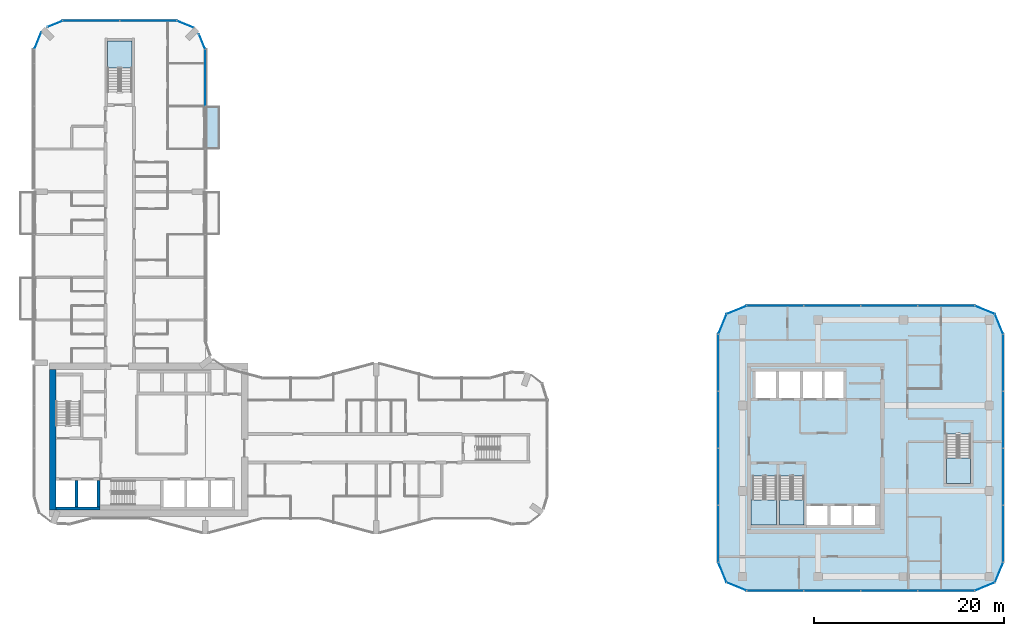
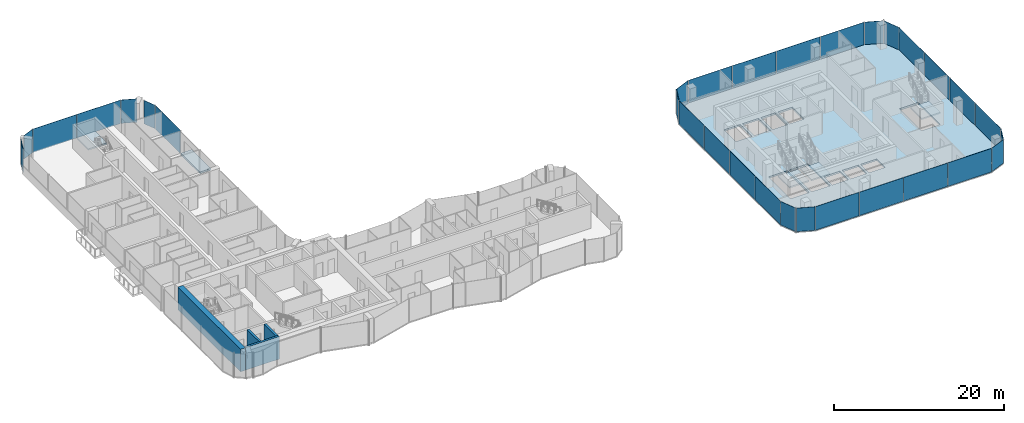
# One storey, part 12 of 23: 31 plates, 6 slabs, 4 walls, 22 elements without a shape of their own.
"""IFC4 building model written with IfcOpenShell, lengths in metres."""

from ifc_helpers import new_model, si_unit, direction, frame, frame_2d, origin, origin_2d, place, context, subcontext, project, spatial, polyline, rectangle, outline, extrude, material, layer, layer_set, type_object, element, aggregate, save


model = new_model("IFC4")

# Units and contexts
model_context = context("Model", 3, precision=1e-05, world=origin(), true_north=direction((0.0, 1.0)))
body_context = subcontext(model_context, "Body", "Model", "MODEL_VIEW")
ifc_project = project(units=[si_unit("LENGTHUNIT", "METRE"), si_unit("AREAUNIT", "SQUARE_METRE"), si_unit("VOLUMEUNIT", "CUBIC_METRE"), si_unit("PLANEANGLEUNIT", "RADIAN"), si_unit("MASSUNIT", "GRAM", prefix="KILO")], contexts=[model_context])

# Site, building, storey
site_placement = place(None, origin())
site = spatial("IfcSite", under=ifc_project, at=site_placement, CompositionType="ELEMENT")
building_placement = place(site_placement, origin())
building = spatial("IfcBuilding", under=site, at=building_placement, Name="Plateau Cross Towers", CompositionType="ELEMENT")
storey_placement = place(building_placement, frame((0.0, 0.0, 88.800048828125)))
storey = spatial("IfcBuildingStorey", under=building, at=storey_placement, Name="L22", CompositionType="ELEMENT", Elevation=88.800048828125)

# Slab
ifc_material_1 = material(Name="Concrete C40/50", Category="concrete")
ifc_layer_1 = layer(ifc_material_1, 0.25)
ifc_layer_set_1 = layer_set([ifc_layer_1], Name="Concrete C40/50")
slab_type_1 = type_object("IfcSlabType", Name="Balcony slab 250", PredefinedType="FLOOR", material=ifc_layer_set_1)
slab_1_placement = place(storey_placement, frame((0.0, 0.0, -0.25)))
element("IfcSlab", 1, at=slab_1_placement, inside=storey, type_object=slab_type_1, Name="Balcony slab A-BAL-L22-04", PredefinedType="FLOOR", context=body_context, shape_type="SweptSolid", body=[
    extrude(outline(polyline([(19.5, 40.5), (19.5, 45.0), (18.0, 45.0), (18.0, 40.5), (19.5, 40.5)])), origin(), (0.0, 0.0, 1.0), 0.25),
])

# Curtain wall, plates
ifc_material_2 = material(Name="Dark low-iron glass", Category="glass")
ifc_layer_2 = layer(ifc_material_2, 0.239990234375)
ifc_layer_set_2 = layer_set([ifc_layer_2], Name="Dark low-iron glass")
curtain_wall_type_1 = type_object("IfcCurtainWallType", Name="Curtain wall office unitised CW-F", PredefinedType="NOTDEFINED", material=ifc_layer_set_2)
curtain_wall_1_placement = place(storey_placement, origin())
curtain_wall_1 = element("IfcCurtainWall", 2, at=curtain_wall_1_placement, inside=storey, type_object=curtain_wall_type_1, Name="ENV/B/L22/B750_-60", PredefinedType="NOTDEFINED")
ifc_layer_3 = layer(ifc_material_2, 0.028076171875)
ifc_layer_set_3 = layer_set([ifc_layer_3], Name="Dark low-iron glass")
plate_type_1 = type_object("IfcPlateType", Name="Glass panel 28 office unitised", PredefinedType="CURTAIN_PANEL", material=ifc_layer_set_3)
plate_1_placement = place(storey_placement, frame((78.0, -6.0, -0.1298828125), z_axis=(0.0, 0.0, 1.0), x_axis=(1.0, 0.0, 0.0)))
plate_1 = element("IfcPlate", 3, at=plate_1_placement, type_object=plate_type_1, Name="CW-F panel 1", PredefinedType="CURTAIN_PANEL", context=body_context, shape_type="SweptSolid", body=[
    extrude(rectangle(XDim=5.93994140625, YDim=0.028076171875, at=origin_2d()), origin(), (0.0, 0.0, 1.0), 3.3798828125),
])
plate_2_placement = place(storey_placement, frame((84.0, -6.0, -0.1298828125), z_axis=(0.0, 0.0, 1.0), x_axis=(1.0, 0.0, 0.0)))
plate_2 = element("IfcPlate", 4, at=plate_2_placement, type_object=plate_type_1, Name="CW-F panel 2", PredefinedType="CURTAIN_PANEL", context=body_context, shape_type="SweptSolid", body=[
    extrude(rectangle(XDim=5.93994140625, YDim=0.028076171875, at=origin_2d()), origin(), (0.0, 0.0, 1.0), 3.3798828125),
])
plate_3_placement = place(storey_placement, frame((90.0, -6.0, -0.1298828125), z_axis=(0.0, 0.0, 1.0), x_axis=(1.0, 0.0, 0.0)))
plate_3 = element("IfcPlate", 5, at=plate_3_placement, type_object=plate_type_1, Name="CW-F panel 3", PredefinedType="CURTAIN_PANEL", context=body_context, shape_type="SweptSolid", body=[
    extrude(rectangle(XDim=5.93994140625, YDim=0.028076171875, at=origin_2d()), origin(), (0.0, 0.0, 1.0), 3.3798828125),
])
plate_4_placement = place(storey_placement, frame((96.0, -6.0, -0.1298828125), z_axis=(0.0, 0.0, 1.0), x_axis=(1.0, 0.0, 0.0)))
plate_4 = element("IfcPlate", 6, at=plate_4_placement, type_object=plate_type_1, Name="CW-F panel 4", PredefinedType="CURTAIN_PANEL", context=body_context, shape_type="SweptSolid", body=[
    extrude(rectangle(XDim=5.93994140625, YDim=0.028076171875, at=origin_2d()), origin(), (0.0, 0.0, 1.0), 3.3798828125),
])
aggregate(curtain_wall_1, [plate_1, plate_2, plate_3, plate_4])

# Curtain wall, plate
curtain_wall_2_placement = place(storey_placement, origin())
curtain_wall_2 = element("IfcCurtainWall", 7, at=curtain_wall_2_placement, inside=storey, type_object=curtain_wall_type_1, Name="ENV/B/L22/B990_-60", PredefinedType="NOTDEFINED")
plate_5_placement = place(storey_placement, frame((100.060546875, -5.560546875, -0.1298828125), z_axis=(0.0, 0.0, 1.0), x_axis=(0.923879457699, 0.382683612978, 0.0)))
plate_5 = element("IfcPlate", 8, at=plate_5_placement, type_object=plate_type_1, Name="CW-F panel 1", PredefinedType="CURTAIN_PANEL", context=body_context, shape_type="SweptSolid", body=[
    extrude(rectangle(XDim=2.236083984375, YDim=0.028076171875, at=origin_2d()), origin(), (0.0, 0.0, 1.0), 3.3798828125),
])
aggregate(curtain_wall_2, [plate_5])

curtain_wall_3_placement = place(storey_placement, origin())
curtain_wall_3 = element("IfcCurtainWall", 9, at=curtain_wall_3_placement, inside=storey, type_object=curtain_wall_type_1, Name="ENV/B/L22/B1011_-51", PredefinedType="NOTDEFINED")
plate_6_placement = place(storey_placement, frame((101.560546875, -4.060546875, -0.1298828125), z_axis=(0.0, 0.0, 1.0), x_axis=(0.382683612978, 0.923879457699, 0.0)))
plate_6 = element("IfcPlate", 10, at=plate_6_placement, type_object=plate_type_1, Name="CW-F panel 1", PredefinedType="CURTAIN_PANEL", context=body_context, shape_type="SweptSolid", body=[
    extrude(rectangle(XDim=2.236083984375, YDim=0.028076171875, at=origin_2d()), origin(), (0.0, 0.0, 1.0), 3.3798828125),
])
aggregate(curtain_wall_3, [plate_6])

# Curtain wall, plates
curtain_wall_4_placement = place(storey_placement, origin())
curtain_wall_4 = element("IfcCurtainWall", 11, at=curtain_wall_4_placement, inside=storey, type_object=curtain_wall_type_1, Name="ENV/B/L22/B1020_-30", PredefinedType="NOTDEFINED")
plate_7_placement = place(storey_placement, frame((102.0, 0.0, -0.1298828125), z_axis=(0.0, 0.0, 1.0), x_axis=(0.0, 1.0, 0.0)))
plate_7 = element("IfcPlate", 12, at=plate_7_placement, type_object=plate_type_1, Name="CW-F panel 1", PredefinedType="CURTAIN_PANEL", context=body_context, shape_type="SweptSolid", body=[
    extrude(rectangle(XDim=5.93994140625, YDim=0.028076171875, at=origin_2d()), origin(), (0.0, 0.0, 1.0), 3.3798828125),
])
plate_8_placement = place(storey_placement, frame((102.0, 6.0, -0.1298828125), z_axis=(0.0, 0.0, 1.0), x_axis=(0.0, 1.0, 0.0)))
plate_8 = element("IfcPlate", 13, at=plate_8_placement, type_object=plate_type_1, Name="CW-F panel 2", PredefinedType="CURTAIN_PANEL", context=body_context, shape_type="SweptSolid", body=[
    extrude(rectangle(XDim=5.93994140625, YDim=0.028076171875, at=origin_2d()), origin(), (0.0, 0.0, 1.0), 3.3798828125),
])
plate_9_placement = place(storey_placement, frame((102.0, 12.0, -0.1298828125), z_axis=(0.0, 0.0, 1.0), x_axis=(0.0, 1.0, 0.0)))
plate_9 = element("IfcPlate", 14, at=plate_9_placement, type_object=plate_type_1, Name="CW-F panel 3", PredefinedType="CURTAIN_PANEL", context=body_context, shape_type="SweptSolid", body=[
    extrude(rectangle(XDim=5.93994140625, YDim=0.028076171875, at=origin_2d()), origin(), (0.0, 0.0, 1.0), 3.3798828125),
])
plate_10_placement = place(storey_placement, frame((102.0, 18.0, -0.1298828125), z_axis=(0.0, 0.0, 1.0), x_axis=(0.0, 1.0, 0.0)))
plate_10 = element("IfcPlate", 15, at=plate_10_placement, type_object=plate_type_1, Name="CW-F panel 4", PredefinedType="CURTAIN_PANEL", context=body_context, shape_type="SweptSolid", body=[
    extrude(rectangle(XDim=5.93994140625, YDim=0.028076171875, at=origin_2d()), origin(), (0.0, 0.0, 1.0), 3.3798828125),
])
aggregate(curtain_wall_4, [plate_7, plate_8, plate_9, plate_10])

# Curtain wall, plate
curtain_wall_5_placement = place(storey_placement, origin())
curtain_wall_5 = element("IfcCurtainWall", 16, at=curtain_wall_5_placement, inside=storey, type_object=curtain_wall_type_1, Name="ENV/B/L22/B1020_210", PredefinedType="NOTDEFINED")
plate_11_placement = place(storey_placement, frame((101.560546875, 22.060546875, -0.1298828125), z_axis=(0.0, 0.0, 1.0), x_axis=(-0.382683612978, 0.923879457699, 0.0)))
plate_11 = element("IfcPlate", 17, at=plate_11_placement, type_object=plate_type_1, Name="CW-F panel 1", PredefinedType="CURTAIN_PANEL", context=body_context, shape_type="SweptSolid", body=[
    extrude(rectangle(XDim=2.236083984375, YDim=0.028076171875, at=origin_2d()), origin(), (0.0, 0.0, 1.0), 3.3798828125),
])
aggregate(curtain_wall_5, [plate_11])

curtain_wall_6_placement = place(storey_placement, origin())
curtain_wall_6 = element("IfcCurtainWall", 18, at=curtain_wall_6_placement, inside=storey, type_object=curtain_wall_type_1, Name="ENV/B/L22/B1011_231", PredefinedType="NOTDEFINED")
plate_12_placement = place(storey_placement, frame((100.060546875, 23.560546875, -0.1298828125), z_axis=(0.0, 0.0, 1.0), x_axis=(-0.923879457699, 0.382683612978, 0.0)))
plate_12 = element("IfcPlate", 19, at=plate_12_placement, type_object=plate_type_1, Name="CW-F panel 1", PredefinedType="CURTAIN_PANEL", context=body_context, shape_type="SweptSolid", body=[
    extrude(rectangle(XDim=2.236083984375, YDim=0.028076171875, at=origin_2d()), origin(), (0.0, 0.0, 1.0), 3.3798828125),
])
aggregate(curtain_wall_6, [plate_12])

# Curtain wall, plates
curtain_wall_7_placement = place(storey_placement, origin())
curtain_wall_7 = element("IfcCurtainWall", 20, at=curtain_wall_7_placement, inside=storey, type_object=curtain_wall_type_1, Name="ENV/B/L22/B990_240", PredefinedType="NOTDEFINED")
plate_13_placement = place(storey_placement, frame((96.0, 24.0, -0.1298828125), z_axis=(0.0, 0.0, 1.0), x_axis=(-1.0, 0.0, 0.0)))
plate_13 = element("IfcPlate", 21, at=plate_13_placement, type_object=plate_type_1, Name="CW-F panel 1", PredefinedType="CURTAIN_PANEL", context=body_context, shape_type="SweptSolid", body=[
    extrude(rectangle(XDim=5.93994140625, YDim=0.028076171875, at=origin_2d()), origin(), (0.0, 0.0, 1.0), 3.3798828125),
])
plate_14_placement = place(storey_placement, frame((90.0, 24.0, -0.1298828125), z_axis=(0.0, 0.0, 1.0), x_axis=(-1.0, 0.0, 0.0)))
plate_14 = element("IfcPlate", 22, at=plate_14_placement, type_object=plate_type_1, Name="CW-F panel 2", PredefinedType="CURTAIN_PANEL", context=body_context, shape_type="SweptSolid", body=[
    extrude(rectangle(XDim=5.93994140625, YDim=0.028076171875, at=origin_2d()), origin(), (0.0, 0.0, 1.0), 3.3798828125),
])
plate_15_placement = place(storey_placement, frame((84.0, 24.0, -0.1298828125), z_axis=(0.0, 0.0, 1.0), x_axis=(-1.0, 0.0, 0.0)))
plate_15 = element("IfcPlate", 23, at=plate_15_placement, type_object=plate_type_1, Name="CW-F panel 3", PredefinedType="CURTAIN_PANEL", context=body_context, shape_type="SweptSolid", body=[
    extrude(rectangle(XDim=5.93994140625, YDim=0.028076171875, at=origin_2d()), origin(), (0.0, 0.0, 1.0), 3.3798828125),
])
plate_16_placement = place(storey_placement, frame((78.0, 24.0, -0.1298828125), z_axis=(0.0, 0.0, 1.0), x_axis=(-1.0, 0.0, 0.0)))
plate_16 = element("IfcPlate", 24, at=plate_16_placement, type_object=plate_type_1, Name="CW-F panel 4", PredefinedType="CURTAIN_PANEL", context=body_context, shape_type="SweptSolid", body=[
    extrude(rectangle(XDim=5.93994140625, YDim=0.028076171875, at=origin_2d()), origin(), (0.0, 0.0, 1.0), 3.3798828125),
])
aggregate(curtain_wall_7, [plate_13, plate_14, plate_15, plate_16])

# Curtain wall, plate
curtain_wall_8_placement = place(storey_placement, origin())
curtain_wall_8 = element("IfcCurtainWall", 25, at=curtain_wall_8_placement, inside=storey, type_object=curtain_wall_type_1, Name="ENV/B/L22/B750_240", PredefinedType="NOTDEFINED")
plate_17_placement = place(storey_placement, frame((73.939453125, 23.560546875, -0.1298828125), z_axis=(0.0, 0.0, 1.0), x_axis=(-0.923879457699, -0.382683612978, 0.0)))
plate_17 = element("IfcPlate", 26, at=plate_17_placement, type_object=plate_type_1, Name="CW-F panel 1", PredefinedType="CURTAIN_PANEL", context=body_context, shape_type="SweptSolid", body=[
    extrude(rectangle(XDim=2.236083984375, YDim=0.028076171875, at=origin_2d()), origin(), (0.0, 0.0, 1.0), 3.3798828125),
])
aggregate(curtain_wall_8, [plate_17])

curtain_wall_9_placement = place(storey_placement, origin())
curtain_wall_9 = element("IfcCurtainWall", 27, at=curtain_wall_9_placement, inside=storey, type_object=curtain_wall_type_1, Name="ENV/B/L22/B729_231", PredefinedType="NOTDEFINED")
plate_18_placement = place(storey_placement, frame((72.439453125, 22.060546875, -0.1298828125), z_axis=(0.0, 0.0, 1.0), x_axis=(-0.382683612978, -0.923879457699, 0.0)))
plate_18 = element("IfcPlate", 28, at=plate_18_placement, type_object=plate_type_1, Name="CW-F panel 1", PredefinedType="CURTAIN_PANEL", context=body_context, shape_type="SweptSolid", body=[
    extrude(rectangle(XDim=2.236083984375, YDim=0.028076171875, at=origin_2d()), origin(), (0.0, 0.0, 1.0), 3.3798828125),
])
aggregate(curtain_wall_9, [plate_18])

# Curtain wall, plates
curtain_wall_10_placement = place(storey_placement, origin())
curtain_wall_10 = element("IfcCurtainWall", 29, at=curtain_wall_10_placement, inside=storey, type_object=curtain_wall_type_1, Name="ENV/B/L22/B720_210", PredefinedType="NOTDEFINED")
plate_19_placement = place(storey_placement, frame((72.0, 18.0, -0.1298828125), z_axis=(0.0, 0.0, 1.0), x_axis=(0.0, -1.0, 0.0)))
plate_19 = element("IfcPlate", 30, at=plate_19_placement, type_object=plate_type_1, Name="CW-F panel 1", PredefinedType="CURTAIN_PANEL", context=body_context, shape_type="SweptSolid", body=[
    extrude(rectangle(XDim=5.93994140625, YDim=0.028076171875, at=origin_2d()), origin(), (0.0, 0.0, 1.0), 3.3798828125),
])
plate_20_placement = place(storey_placement, frame((72.0, 12.0, -0.1298828125), z_axis=(0.0, 0.0, 1.0), x_axis=(0.0, -1.0, 0.0)))
plate_20 = element("IfcPlate", 31, at=plate_20_placement, type_object=plate_type_1, Name="CW-F panel 2", PredefinedType="CURTAIN_PANEL", context=body_context, shape_type="SweptSolid", body=[
    extrude(rectangle(XDim=5.93994140625, YDim=0.028076171875, at=origin_2d()), origin(), (0.0, 0.0, 1.0), 3.3798828125),
])
plate_21_placement = place(storey_placement, frame((72.0, 6.0, -0.1298828125), z_axis=(0.0, 0.0, 1.0), x_axis=(0.0, -1.0, 0.0)))
plate_21 = element("IfcPlate", 32, at=plate_21_placement, type_object=plate_type_1, Name="CW-F panel 3", PredefinedType="CURTAIN_PANEL", context=body_context, shape_type="SweptSolid", body=[
    extrude(rectangle(XDim=5.93994140625, YDim=0.028076171875, at=origin_2d()), origin(), (0.0, 0.0, 1.0), 3.3798828125),
])
plate_22_placement = place(storey_placement, frame((72.0, 0.0, -0.1298828125), z_axis=(0.0, 0.0, 1.0), x_axis=(0.0, -1.0, 0.0)))
plate_22 = element("IfcPlate", 33, at=plate_22_placement, type_object=plate_type_1, Name="CW-F panel 4", PredefinedType="CURTAIN_PANEL", context=body_context, shape_type="SweptSolid", body=[
    extrude(rectangle(XDim=5.93994140625, YDim=0.028076171875, at=origin_2d()), origin(), (0.0, 0.0, 1.0), 3.3798828125),
])
aggregate(curtain_wall_10, [plate_19, plate_20, plate_21, plate_22])

# Curtain wall, plate
curtain_wall_11_placement = place(storey_placement, origin())
curtain_wall_11 = element("IfcCurtainWall", 34, at=curtain_wall_11_placement, inside=storey, type_object=curtain_wall_type_1, Name="ENV/B/L22/B720_-30", PredefinedType="NOTDEFINED")
plate_23_placement = place(storey_placement, frame((72.439453125, -4.060546875, -0.1298828125), z_axis=(0.0, 0.0, 1.0), x_axis=(0.382683612978, -0.923879457699, 0.0)))
plate_23 = element("IfcPlate", 35, at=plate_23_placement, type_object=plate_type_1, Name="CW-F panel 1", PredefinedType="CURTAIN_PANEL", context=body_context, shape_type="SweptSolid", body=[
    extrude(rectangle(XDim=2.236083984375, YDim=0.028076171875, at=origin_2d()), origin(), (0.0, 0.0, 1.0), 3.3798828125),
])
aggregate(curtain_wall_11, [plate_23])

curtain_wall_12_placement = place(storey_placement, origin())
curtain_wall_12 = element("IfcCurtainWall", 36, at=curtain_wall_12_placement, inside=storey, type_object=curtain_wall_type_1, Name="ENV/B/L22/B729_-51", PredefinedType="NOTDEFINED")
plate_24_placement = place(storey_placement, frame((73.939453125, -5.560546875, -0.1298828125), z_axis=(0.0, 0.0, 1.0), x_axis=(0.923879457699, -0.382683612978, 0.0)))
plate_24 = element("IfcPlate", 37, at=plate_24_placement, type_object=plate_type_1, Name="CW-F panel 1", PredefinedType="CURTAIN_PANEL", context=body_context, shape_type="SweptSolid", body=[
    extrude(rectangle(XDim=2.236083984375, YDim=0.028076171875, at=origin_2d()), origin(), (0.0, 0.0, 1.0), 3.3798828125),
])
aggregate(curtain_wall_12, [plate_24])

ifc_layer_4 = layer(ifc_material_2, 0.239990234375)
ifc_layer_set_4 = layer_set([ifc_layer_4], Name="Dark low-iron glass")
curtain_wall_type_2 = type_object("IfcCurtainWallType", Name="Curtain wall flush unitised CW-B", PredefinedType="NOTDEFINED", material=ifc_layer_set_4)
curtain_wall_13_placement = place(storey_placement, origin())
curtain_wall_13 = element("IfcCurtainWall", 38, at=curtain_wall_13_placement, inside=storey, type_object=curtain_wall_type_2, Name="ENV/A/L22/A180_450", PredefinedType="NOTDEFINED")
ifc_layer_5 = layer(ifc_material_2, 0.031982421875)
ifc_layer_set_5 = layer_set([ifc_layer_5], Name="Dark low-iron glass")
plate_type_2 = type_object("IfcPlateType", Name="Glass panel 32 flush unitised", PredefinedType="CURTAIN_PANEL", material=ifc_layer_set_5)
plate_25_placement = place(storey_placement, frame((18.0, 48.0048828125, -0.1298828125), z_axis=(0.0, 0.0, 1.0), x_axis=(0.0, 1.0, 0.0)))
plate_25 = element("IfcPlate", 39, at=plate_25_placement, type_object=plate_type_2, Name="CW-B panel 1", PredefinedType="CURTAIN_PANEL", context=body_context, shape_type="SweptSolid", body=[
    extrude(rectangle(XDim=5.929931640625, YDim=0.031982421875, at=origin_2d()), origin(), (0.0, 0.0, 1.0), 3.3798828125),
])
aggregate(curtain_wall_13, [plate_25])

curtain_wall_14_placement = place(storey_placement, origin())
curtain_wall_14 = element("IfcCurtainWall", 40, at=curtain_wall_14_placement, inside=storey, type_object=curtain_wall_type_2, Name="ENV/A/L22/A180_510", PredefinedType="NOTDEFINED")
plate_26_placement = place(storey_placement, frame((17.66943359375, 51.79833984375, -0.1298828125), z_axis=(0.0, 0.0, 1.0), x_axis=(-0.382683612978, 0.923879457699, 0.0)))
plate_26 = element("IfcPlate", 41, at=plate_26_placement, type_object=plate_type_2, Name="CW-B panel 1", PredefinedType="CURTAIN_PANEL", context=body_context, shape_type="SweptSolid", body=[
    extrude(rectangle(XDim=1.668212890625, YDim=0.031982421875, at=origin_2d()), origin(), (0.0, 0.0, 1.0), 3.3798828125),
])
aggregate(curtain_wall_14, [plate_26])

curtain_wall_15_placement = place(storey_placement, origin())
curtain_wall_15 = element("IfcCurtainWall", 42, at=curtain_wall_15_placement, inside=storey, type_object=curtain_wall_type_2, Name="ENV/A/L22/A168_533", PredefinedType="NOTDEFINED")
plate_27_placement = place(storey_placement, frame((15.90283203125, 53.6259765625, -0.1298828125), z_axis=(0.0, 0.0, 1.0), x_axis=(-0.923879457699, 0.382683612978, 0.0)))
plate_27 = element("IfcPlate", 43, at=plate_27_placement, type_object=plate_type_2, Name="CW-B panel 1", PredefinedType="CURTAIN_PANEL", context=body_context, shape_type="SweptSolid", body=[
    extrude(rectangle(XDim=1.894775390625, YDim=0.031982421875, at=origin_2d()), origin(), (0.0, 0.0, 1.0), 3.3798828125),
])
aggregate(curtain_wall_15, [plate_27])

# Curtain wall, plates
curtain_wall_16_placement = place(storey_placement, origin())
curtain_wall_16 = element("IfcCurtainWall", 44, at=curtain_wall_16_placement, inside=storey, type_object=curtain_wall_type_2, Name="ENV/A/L22/A150_540", PredefinedType="NOTDEFINED")
plate_28_placement = place(storey_placement, frame((12.0, 54.0, -0.1298828125), z_axis=(0.0, 0.0, 1.0), x_axis=(-1.0, 0.0, 0.0)))
plate_28 = element("IfcPlate", 45, at=plate_28_placement, type_object=plate_type_2, Name="CW-B panel 1", PredefinedType="CURTAIN_PANEL", context=body_context, shape_type="SweptSolid", body=[
    extrude(rectangle(XDim=5.93994140625, YDim=0.031982421875, at=origin_2d()), origin(), (0.0, 0.0, 1.0), 3.3798828125),
])
plate_29_placement = place(storey_placement, frame((6.0, 54.0, -0.1298828125), z_axis=(0.0, 0.0, 1.0), x_axis=(-1.0, 0.0, 0.0)))
plate_29 = element("IfcPlate", 46, at=plate_29_placement, type_object=plate_type_2, Name="CW-B panel 2", PredefinedType="CURTAIN_PANEL", context=body_context, shape_type="SweptSolid", body=[
    extrude(rectangle(XDim=5.93994140625, YDim=0.031982421875, at=origin_2d()), origin(), (0.0, 0.0, 1.0), 3.3798828125),
])
aggregate(curtain_wall_16, [plate_28, plate_29])

# Curtain wall, plate
curtain_wall_17_placement = place(storey_placement, origin())
curtain_wall_17 = element("IfcCurtainWall", 47, at=curtain_wall_17_placement, inside=storey, type_object=curtain_wall_type_2, Name="ENV/A/L22/A30_540", PredefinedType="NOTDEFINED")
plate_30_placement = place(storey_placement, frame((2.20166015625, 53.66943359375, -0.1298828125), z_axis=(0.0, 0.0, 1.0), x_axis=(-0.923879457699, -0.382683612978, 0.0)))
plate_30 = element("IfcPlate", 48, at=plate_30_placement, type_object=plate_type_2, Name="CW-B panel 1", PredefinedType="CURTAIN_PANEL", context=body_context, shape_type="SweptSolid", body=[
    extrude(rectangle(XDim=1.668212890625, YDim=0.031982421875, at=origin_2d()), origin(), (0.0, 0.0, 1.0), 3.3798828125),
])
aggregate(curtain_wall_17, [plate_30])

curtain_wall_18_placement = place(storey_placement, origin())
curtain_wall_18 = element("IfcCurtainWall", 49, at=curtain_wall_18_placement, inside=storey, type_object=curtain_wall_type_2, Name="ENV/A/L22/A7_528", PredefinedType="NOTDEFINED")
plate_31_placement = place(storey_placement, frame((0.3740234375, 51.90283203125, -0.1298828125), z_axis=(0.0, 0.0, 1.0), x_axis=(-0.382683612978, -0.923879457699, 0.0)))
plate_31 = element("IfcPlate", 50, at=plate_31_placement, type_object=plate_type_2, Name="CW-B panel 1", PredefinedType="CURTAIN_PANEL", context=body_context, shape_type="SweptSolid", body=[
    extrude(rectangle(XDim=1.894775390625, YDim=0.031982421875, at=origin_2d()), origin(), (0.0, 0.0, 1.0), 3.3798828125),
])
aggregate(curtain_wall_18, [plate_31])

# Slab
ifc_layer_6 = layer(ifc_material_1, 0.25)
ifc_layer_set_6 = layer_set([ifc_layer_6], Name="Concrete C40/50")
slab_type_2 = type_object("IfcSlabType", Name="Post-tensioned flat plate slab 250", PredefinedType="FLOOR", material=ifc_layer_set_6)
slab_2_placement = place(storey_placement, frame((0.0, 0.0, -0.25)))
element("IfcSlab", 51, at=slab_2_placement, inside=storey, type_object=slab_type_2, Name="SL-B-L22", PredefinedType="FLOOR", context=body_context, shape_type="SweptSolid", body=[
    extrude(outline(polyline([(72.878662109375, -5.121337890625), (72.0, -3.0), (72.0, 21.0), (72.878662109375, 23.121337890625), (75.0, 24.0), (99.0, 24.0), (101.121337890625, 23.121337890625), (102.0, 21.0), (102.0, -3.0), (101.121337890625, -5.121337890625), (99.0, -6.0), (75.0, -6.0), (72.878662109375, -5.121337890625)]), holes=[polyline([(75.60009765625, 0.89990234375), (78.14990234375, 0.89990234375), (78.14990234375, 6.10009765625), (75.60009765625, 6.10009765625), (75.60009765625, 0.89990234375)]), polyline([(78.10009765625, 14.300048828125), (78.10009765625, 17.10009765625), (75.89990234375, 17.10009765625), (75.89990234375, 14.300048828125), (78.10009765625, 14.300048828125)]), polyline([(83.5, 0.89990234375), (83.5, 2.89990234375), (81.300048828125, 2.89990234375), (81.300048828125, 0.89990234375), (83.5, 0.89990234375)]), polyline([(86.0, 0.89990234375), (86.0, 2.89990234375), (83.800048828125, 2.89990234375), (83.800048828125, 0.89990234375), (86.0, 0.89990234375)]), polyline([(88.5, 0.89990234375), (88.5, 2.89990234375), (86.300048828125, 2.89990234375), (86.300048828125, 0.89990234375), (88.5, 0.89990234375)]), polyline([(78.449951171875, 0.89990234375), (81.0, 0.89990234375), (81.0, 6.10009765625), (78.449951171875, 6.10009765625), (78.449951171875, 0.89990234375)]), polyline([(96.0, 5.300048828125), (98.550048828125, 5.300048828125), (98.550048828125, 10.5), (96.0, 10.5), (96.0, 5.300048828125)]), polyline([(80.60009765625, 14.300048828125), (80.60009765625, 17.10009765625), (78.39990234375, 17.10009765625), (78.39990234375, 14.300048828125), (80.60009765625, 14.300048828125)]), polyline([(80.89990234375, 14.300048828125), (82.89990234375, 14.300048828125), (82.89990234375, 17.10009765625), (80.89990234375, 17.10009765625), (80.89990234375, 14.300048828125)]), polyline([(83.199951171875, 14.300048828125), (85.199951171875, 14.300048828125), (85.199951171875, 17.10009765625), (83.199951171875, 17.10009765625), (83.199951171875, 14.300048828125)])]), origin(), (0.0, 0.0, 1.0), 0.25),
])

# Stair, slab
stair_type = type_object("IfcStairType", Name="ST-TWR", PredefinedType="HALF_TURN_STAIR", material=ifc_material_1)
stair_1_placement = place(storey_placement, origin())
stair_1 = element("IfcStair", 52, at=stair_1_placement, inside=storey, type_object=stair_type, Name="L22 Protected Exit Stair SB-1", PredefinedType="HALF_TURN_STAIR")
ifc_layer_7 = layer(ifc_material_1, 0.199951171875)
ifc_layer_set_7 = layer_set([ifc_layer_7], Name="Concrete C40/50")
slab_type_3 = type_object("IfcSlabType", Name="SL-LANDING", PredefinedType="LANDING", material=ifc_layer_set_7)
slab_3_placement = place(storey_placement, frame((0.0, 0.0, 1.550048828125)))
slab_3 = element("IfcSlab", 53, at=slab_3_placement, type_object=slab_type_3, Name="SB-1 landing 1", PredefinedType="LANDING", context=body_context, shape_type="SweptSolid", body=[
    extrude(outline(polyline([(75.449951171875, 3.580078125), (75.449951171875, 0.89990234375), (78.14990234375, 0.89990234375), (78.14990234375, 3.580078125), (75.449951171875, 3.580078125)])), origin(), (0.0, 0.0, 1.0), 0.199951171875),
])
aggregate(stair_1, [slab_3])

stair_2_placement = place(storey_placement, origin())
stair_2 = element("IfcStair", 54, at=stair_2_placement, inside=storey, type_object=stair_type, Name="L22 Protected Exit Stair SB-2", PredefinedType="HALF_TURN_STAIR")
slab_4_placement = place(storey_placement, frame((0.0, 0.0, 1.550048828125)))
slab_4 = element("IfcSlab", 55, at=slab_4_placement, type_object=slab_type_3, Name="SB-2 landing 1", PredefinedType="LANDING", context=body_context, shape_type="SweptSolid", body=[
    extrude(outline(polyline([(78.449951171875, 3.580078125), (78.449951171875, 0.89990234375), (81.0, 0.89990234375), (81.0, 3.580078125), (78.449951171875, 3.580078125)])), origin(), (0.0, 0.0, 1.0), 0.199951171875),
])
aggregate(stair_2, [slab_4])

stair_3_placement = place(storey_placement, origin())
stair_3 = element("IfcStair", 56, at=stair_3_placement, inside=storey, type_object=stair_type, Name="L22 Protected Exit Stair SB-3", PredefinedType="HALF_TURN_STAIR")
slab_5_placement = place(storey_placement, frame((0.0, 0.0, 1.550048828125)))
slab_5 = element("IfcSlab", 57, at=slab_5_placement, type_object=slab_type_3, Name="SB-3 landing 1", PredefinedType="LANDING", context=body_context, shape_type="SweptSolid", body=[
    extrude(outline(polyline([(96.0, 7.97998046875), (96.0, 5.300048828125), (98.550048828125, 5.300048828125), (98.550048828125, 7.97998046875), (96.0, 7.97998046875)])), origin(), (0.0, 0.0, 1.0), 0.199951171875),
])
aggregate(stair_3, [slab_5])

stair_4_placement = place(storey_placement, origin())
stair_4 = element("IfcStair", 58, at=stair_4_placement, inside=storey, type_object=stair_type, Name="L22 Protected Exit Stair N", PredefinedType="HALF_TURN_STAIR")
slab_6_placement = place(storey_placement, frame((0.0, 0.0, 1.550048828125)))
slab_6 = element("IfcSlab", 59, at=slab_6_placement, type_object=slab_type_3, Name="ES-N landing 1", PredefinedType="LANDING", context=body_context, shape_type="SweptSolid", body=[
    extrude(outline(polyline([(10.27490234375, 49.02001953125), (10.27490234375, 51.85009765625), (7.72509765625, 51.85009765625), (7.72509765625, 49.02001953125), (10.27490234375, 49.02001953125)])), origin(), (0.0, 0.0, 1.0), 0.199951171875),
])
aggregate(stair_4, [slab_6])

# Walls
ifc_material_3 = material(Name="Concrete C60/75", Category="concrete")
ifc_layer_8 = layer(ifc_material_3, 0.300048828125)
ifc_layer_set_8 = layer_set([ifc_layer_8], Name="Concrete C60/75")
wall_type_1 = type_object("IfcWallType", Name="Core shaft wall 300", PredefinedType="SHEAR", material=ifc_layer_set_8)
wall_1_placement = place(storey_placement, frame((2.300048828125, 2.64990234375, 0.0), z_axis=(0.0, 0.0, 1.0), x_axis=(1.0, 0.0, 0.0)))
element("IfcWall", 60, at=wall_1_placement, inside=storey, type_object=wall_type_1, Name="A-sb-back1@L22", PredefinedType="SHEAR", context=body_context, shape_type="SweptSolid", body=[
    extrude(rectangle(XDim=4.599853515625, YDim=0.300048828125, at=frame_2d((2.2998046875, 0.0))), origin(), (0.0, 0.0, 1.0), 3.25),
])
for number, where, z_axis, x_axis, name in (
    (61, (4.449951171875, 2.800048828125, 0.0), (0.0, 0.0, 1.0), (0.0, 1.0, 0.0), "A-sb-v1@L22"),
    (62, (6.75, 2.800048828125, 0.0), (0.0, 0.0, 1.0), (0.0, 1.0, 0.0), "A-sb-v2@L22"),
):
    element("IfcWall", number, at=place(storey_placement, frame(where, z_axis=z_axis, x_axis=x_axis)), inside=storey, type_object=wall_type_1, Name=name, PredefinedType="SHEAR", context=body_context, shape_type="SweptSolid", body=[
        extrude(rectangle(XDim=2.800048828125, YDim=0.300048828125, at=frame_2d((1.39990234375, 0.0))), origin(), (0.0, 0.0, 1.0), 3.25),
    ])
ifc_layer_9 = layer(ifc_material_3, 0.699951171875)
ifc_layer_set_9 = layer_set([ifc_layer_9], Name="Concrete C60/75")
wall_type_2 = type_object("IfcWallType", Name="Core shell wall 700", PredefinedType="SHEAR", material=ifc_layer_set_9)
wall_2_placement = place(storey_placement, frame((1.949951171875, 2.5, 0.0), z_axis=(0.0, 0.0, 1.0), x_axis=(0.0, 1.0, 0.0)))
element("IfcWall", 63, at=wall_2_placement, inside=storey, type_object=wall_type_2, Name="A-core-W@L22", PredefinedType="SHEAR", context=body_context, shape_type="SweptSolid", body=[
    extrude(rectangle(XDim=14.800048828125, YDim=0.699951171875, at=frame_2d((7.39990234375, 0.0))), origin(), (0.0, 0.0, 1.0), 3.25),
])

save(model, "model.ifc")
